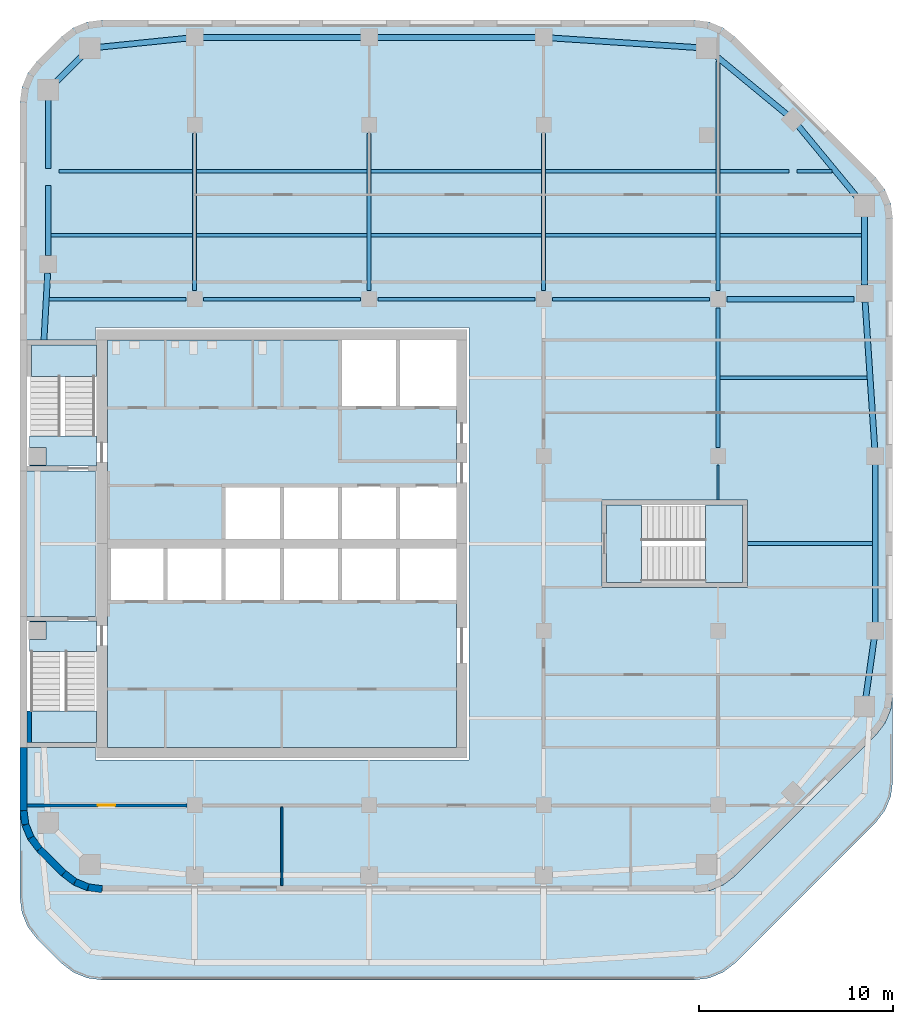
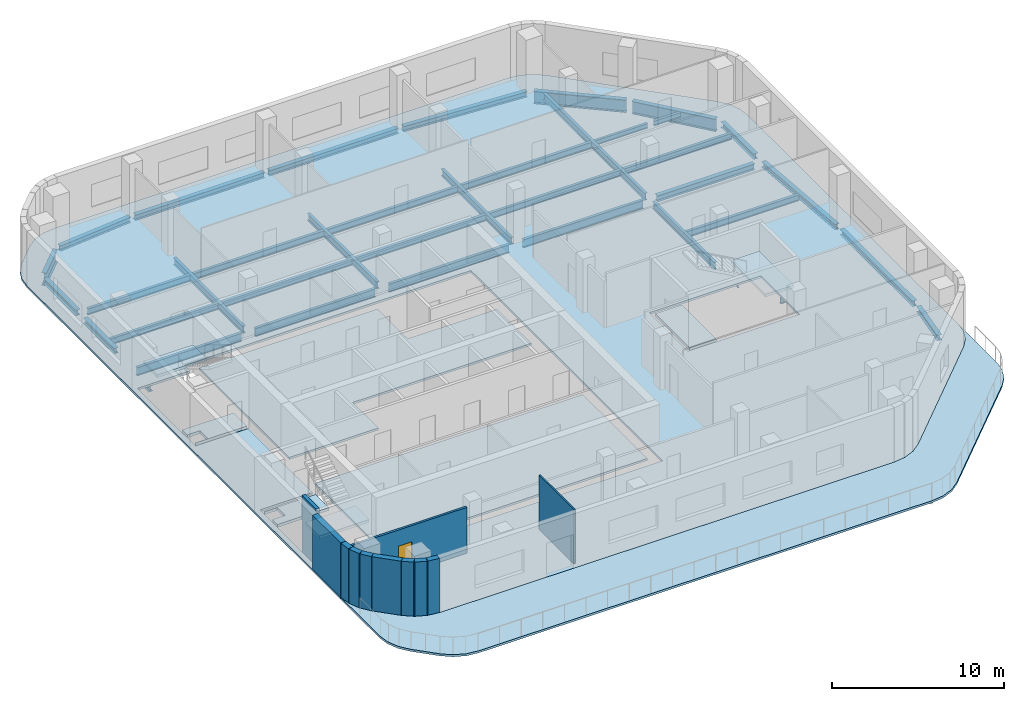
# One storey, part 2 of 8: 38 beams, 11 walls, 10 slabs, 1 door, 1 opening, 3 elements without a shape of their own.
"""IFC4 building model written with IfcOpenShell, lengths in metres."""

from ifc_helpers import new_model, si_unit, direction, frame, frame_2d, origin, origin_2d, place, context, subcontext, project, spatial, polyline, rectangle, i_section, outline, extrude, material, layer, layer_set, material_profile, profile_set, type_object, element, fill, aggregate, save


model = new_model("IFC4")

# Units and contexts
model_context = context("Model", 3, precision=1e-05, world=origin(), true_north=direction((0.0, 1.0)))
body_context = subcontext(model_context, "Body", "Model", "MODEL_VIEW")
ifc_project = project(units=[si_unit("LENGTHUNIT", "METRE"), si_unit("AREAUNIT", "SQUARE_METRE"), si_unit("VOLUMEUNIT", "CUBIC_METRE"), si_unit("PLANEANGLEUNIT", "RADIAN"), si_unit("MASSUNIT", "GRAM", prefix="KILO")], contexts=[model_context])

# Site, building, storey
site_placement = place(None, origin())
site = spatial("IfcSite", under=ifc_project, at=site_placement, CompositionType="ELEMENT")
building_placement = place(site_placement, origin())
building = spatial("IfcBuilding", under=site, at=building_placement, Name="Cinnabar Reach Civic Tower", CompositionType="ELEMENT")
storey_placement = place(building_placement, frame((0.0, 0.0, 198.0)))
storey = spatial("IfcBuildingStorey", under=building, at=storey_placement, Name="L47", CompositionType="ELEMENT", Elevation=198.0)

# Beams
ifc_material_1 = material(Name="Steel Q355B", Category="steel")
ifc_material_profile_1 = material_profile(ifc_material_1, i_section(OverallWidth=0.3, OverallDepth=0.39, WebThickness=0.01, FlangeThickness=0.016, FilletRadius=0.013, at=origin_2d()), Name="HM390x300x10x16")
ifc_profile_set_1 = profile_set([ifc_material_profile_1], Name="Steel Q355B")
beam_type_1 = type_object("IfcBeamType", Name="HM390x300x10x16 beam R 180", PredefinedType="BEAM", material=ifc_profile_set_1)
beam_1_placement = place(storey_placement, frame((43.6082, 23.5339, -0.345), z_axis=(0.140470973325, 0.990084797203, 0.0), x_axis=(-0.990084797203, 0.140470973325, 0.0)))
element("IfcBeam", 1, at=beam_1_placement, inside=storey, type_object=beam_type_1, Name="Edge beam T1 L47 7", PredefinedType="BEAM", context=body_context, shape_type="SweptSolid", body=[
    extrude(i_section(OverallWidth=0.3, OverallDepth=0.39, WebThickness=0.01, FlangeThickness=0.016, FilletRadius=0.013, at=origin_2d()), origin(), (0.0, 0.0, 1.0), 3.2263),
])
beam_2_placement = place(storey_placement, frame((44.1, 27.27, -0.345), z_axis=(0.0, 1.0, 0.0), x_axis=(-1.0, 0.0, 0.0)))
element("IfcBeam", 2, at=beam_2_placement, inside=storey, type_object=beam_type_1, Name="Edge beam T1 L47 8", PredefinedType="BEAM", context=body_context, shape_type="SweptSolid", body=[
    extrude(i_section(OverallWidth=0.3, OverallDepth=0.39, WebThickness=0.01, FlangeThickness=0.016, FilletRadius=0.013, at=origin_2d()), origin(), (0.0, 0.0, 1.0), 8.46),
])
beam_3_placement = place(storey_placement, frame((44.0822, 36.2704, -0.345), z_axis=(-0.065712618402, 0.997838590045, 0.0), x_axis=(-0.997838590045, -0.065712618402, 0.0)))
element("IfcBeam", 3, at=beam_3_placement, inside=storey, type_object=beam_type_1, Name="Edge beam T1 L47 9", PredefinedType="BEAM", context=body_context, shape_type="SweptSolid", body=[
    extrude(i_section(OverallWidth=0.3, OverallDepth=0.39, WebThickness=0.01, FlangeThickness=0.016, FilletRadius=0.013, at=origin_2d()), origin(), (0.0, 0.0, 1.0), 7.7124),
])
beam_4_placement = place(storey_placement, frame((43.5469, 44.8301, -0.345), z_axis=(0.0, 1.0, 0.0), x_axis=(-1.0, 0.0, 0.0)))
element("IfcBeam", 4, at=beam_4_placement, inside=storey, type_object=beam_type_1, Name="Edge beam T1 L47 10", PredefinedType="BEAM", context=body_context, shape_type="SweptSolid", body=[
    extrude(i_section(OverallWidth=0.3, OverallDepth=0.39, WebThickness=0.01, FlangeThickness=0.016, FilletRadius=0.013, at=origin_2d()), origin(), (0.0, 0.0, 1.0), 3.8161),
])
beam_5_placement = place(storey_placement, frame((35.1934, 57.0604, -0.345), z_axis=(-0.997838798342, 0.065709455358, 0.0), x_axis=(-0.065709455358, -0.997838798342, 0.0)))
element("IfcBeam", 5, at=beam_5_placement, inside=storey, type_object=beam_type_1, Name="Edge beam T1 L47 13", PredefinedType="BEAM", context=body_context, shape_type="SweptSolid", body=[
    extrude(i_section(OverallWidth=0.3, OverallDepth=0.39, WebThickness=0.01, FlangeThickness=0.016, FilletRadius=0.013, at=origin_2d()), origin(), (0.0, 0.0, 1.0), 8.043),
])
for number, where, z_axis, x_axis, name in (
    (6, (26.8481, 57.6, -0.345), (-1.0, 0.0, 0.0), (0.0, -1.0, 0.0), "Edge beam T1 L47 14"),
    (7, (17.8481, 57.6, -0.345), (-1.0, 0.0, 0.0), (0.0, -1.0, 0.0), "Edge beam T1 L47 15"),
):
    element("IfcBeam", number, at=place(storey_placement, frame(where, z_axis=z_axis, x_axis=x_axis)), inside=storey, type_object=beam_type_1, Name=name, PredefinedType="BEAM", context=body_context, shape_type="SweptSolid", body=[
        extrude(i_section(OverallWidth=0.3, OverallDepth=0.39, WebThickness=0.01, FlangeThickness=0.016, FilletRadius=0.013, at=origin_2d()), origin(), (0.0, 0.0, 1.0), 8.6962),
    ])
beam_6_placement = place(storey_placement, frame((8.8234, 57.5819, -0.345), z_axis=(-0.994791837941, -0.101927421073, 0.0), x_axis=(0.101927421073, -0.994791837941, 0.0)))
element("IfcBeam", 8, at=beam_6_placement, inside=storey, type_object=beam_type_1, Name="Edge beam T1 L47 16", PredefinedType="BEAM", context=body_context, shape_type="SweptSolid", body=[
    extrude(i_section(OverallWidth=0.3, OverallDepth=0.39, WebThickness=0.01, FlangeThickness=0.016, FilletRadius=0.013, at=origin_2d()), origin(), (0.0, 0.0, 1.0), 5.0526),
])
beam_7_placement = place(storey_placement, frame((1.4531, 54.5938, -0.345), z_axis=(0.0, -1.0, 0.0), x_axis=(1.0, 0.0, 0.0)))
element("IfcBeam", 9, at=beam_7_placement, inside=storey, type_object=beam_type_1, Name="Edge beam T1 L47 18", PredefinedType="BEAM", context=body_context, shape_type="SweptSolid", body=[
    extrude(i_section(OverallWidth=0.3, OverallDepth=0.39, WebThickness=0.01, FlangeThickness=0.016, FilletRadius=0.013, at=origin_2d()), origin(), (0.0, 0.0, 1.0), 3.7637),
])
beam_8_placement = place(storey_placement, frame((1.4531, 49.9661, -0.345), z_axis=(0.0, -1.0, 0.0), x_axis=(1.0, 0.0, 0.0)))
element("IfcBeam", 10, at=beam_8_placement, inside=storey, type_object=beam_type_1, Name="Edge beam T1 L47 19", PredefinedType="BEAM", context=body_context, shape_type="SweptSolid", body=[
    extrude(i_section(OverallWidth=0.3, OverallDepth=0.39, WebThickness=0.01, FlangeThickness=0.016, FilletRadius=0.013, at=origin_2d()), origin(), (0.0, 0.0, 1.0), 3.616),
])
beam_9_placement = place(storey_placement, frame((1.4278, 45.4461, -0.345), z_axis=(-0.0557766862, -0.998443268932, 0.0), x_axis=(0.998443268932, -0.0557766862, 0.0)))
element("IfcBeam", 11, at=beam_9_placement, inside=storey, type_object=beam_type_1, Name="Edge beam T1 L47 20", PredefinedType="BEAM", context=body_context, shape_type="SweptSolid", body=[
    extrude(i_section(OverallWidth=0.3, OverallDepth=0.39, WebThickness=0.01, FlangeThickness=0.016, FilletRadius=0.013, at=origin_2d()), origin(), (0.0, 0.0, 1.0), 3.4495),
])
ifc_material_profile_2 = material_profile(ifc_material_1, i_section(OverallWidth=0.3, OverallDepth=0.44, WebThickness=0.011, FlangeThickness=0.018, FilletRadius=0.016, at=origin_2d()), Name="HM440x300x11x18")
ifc_profile_set_2 = profile_set([ifc_material_profile_2], Name="Steel Q355B")
beam_type_2 = type_object("IfcBeamType", Name="HM440x300x11x18 beam R 180", PredefinedType="BEAM", material=ifc_profile_set_2)
beam_10_placement = place(storey_placement, frame((36.452, 44.1, -0.37), z_axis=(1.0, 0.0, 0.0), x_axis=(0.0, 1.0, 0.0)))
element("IfcBeam", 12, at=beam_10_placement, inside=storey, type_object=beam_type_2, Name="Girder T1 L47 11", PredefinedType="BEAM", context=body_context, shape_type="SweptSolid", body=[
    extrude(i_section(OverallWidth=0.3, OverallDepth=0.44, WebThickness=0.011, FlangeThickness=0.018, FilletRadius=0.016, at=origin_2d()), origin(), (0.0, 0.0, 1.0), 6.5429),
])
ifc_material_profile_3 = material_profile(ifc_material_1, i_section(OverallWidth=0.099, OverallDepth=0.198, WebThickness=0.0045, FlangeThickness=0.007, FilletRadius=0.013, at=origin_2d()), Name="HN200x100x5.5x8")
ifc_profile_set_3 = profile_set([ifc_material_profile_3], Name="Steel Q355B")
beam_type_3 = type_object("IfcBeamType", Name="HN200x100x5.5x8 beam R 180", PredefinedType="BEAM", material=ifc_profile_set_3)
beam_11_placement = place(storey_placement, frame((36.0, 33.752, -0.249), z_axis=(0.0, 1.0, 0.0), x_axis=(-1.0, 0.0, 0.0)))
element("IfcBeam", 13, at=beam_11_placement, inside=storey, type_object=beam_type_3, Name="Girder T1 L47 19", PredefinedType="BEAM", context=body_context, shape_type="SweptSolid", body=[
    extrude(i_section(OverallWidth=0.099, OverallDepth=0.198, WebThickness=0.0045, FlangeThickness=0.007, FilletRadius=0.013, at=origin_2d()), origin(), (0.0, 0.0, 1.0), 1.796),
])
ifc_material_profile_4 = material_profile(ifc_material_1, i_section(OverallWidth=0.174, OverallDepth=0.346, WebThickness=0.006, FlangeThickness=0.009, FilletRadius=0.013, at=origin_2d()), Name="HN346x174x6x9")
ifc_profile_set_4 = profile_set([ifc_material_profile_4], Name="Steel Q355B")
beam_type_4 = type_object("IfcBeamType", Name="HN346x174x6x9 beam R 180", PredefinedType="BEAM", material=ifc_profile_set_4)
beam_12_placement = place(storey_placement, frame((36.102, 50.7, -0.323), z_axis=(1.0, 0.0, 0.0), x_axis=(0.0, 1.0, 0.0)))
element("IfcBeam", 14, at=beam_12_placement, inside=storey, type_object=beam_type_4, Name="Secondary beam T1 L47 25", PredefinedType="BEAM", context=body_context, shape_type="SweptSolid", body=[
    extrude(i_section(OverallWidth=0.174, OverallDepth=0.346, WebThickness=0.006, FlangeThickness=0.009, FilletRadius=0.013, at=origin_2d()), origin(), (0.0, 0.0, 1.0), 3.5596),
])
beam_13_placement = place(storey_placement, frame((40.0656, 50.7, -0.323), z_axis=(1.0, 0.0, 0.0), x_axis=(0.0, 1.0, 0.0)))
element("IfcBeam", 15, at=beam_13_placement, inside=storey, type_object=beam_type_4, Name="Secondary beam T1 L47 26", PredefinedType="BEAM", context=body_context, shape_type="SweptSolid", body=[
    extrude(i_section(OverallWidth=0.174, OverallDepth=0.346, WebThickness=0.006, FlangeThickness=0.009, FilletRadius=0.013, at=origin_2d()), origin(), (0.0, 0.0, 1.0), 1.798),
])
ifc_material_profile_5 = material_profile(ifc_material_1, i_section(OverallWidth=0.199, OverallDepth=0.446, WebThickness=0.008, FlangeThickness=0.012, FilletRadius=0.016, at=origin_2d()), Name="HN446x199x8x12")
ifc_profile_set_5 = profile_set([ifc_material_profile_5], Name="Steel Q355B")
beam_type_5 = type_object("IfcBeamType", Name="HN446x199x8x12 beam R 180", PredefinedType="BEAM", material=ifc_profile_set_5)
beam_14_placement = place(storey_placement, frame((37.502, 31.5, -0.373), z_axis=(1.0, 0.0, 0.0), x_axis=(0.0, 1.0, 0.0)))
element("IfcBeam", 16, at=beam_14_placement, inside=storey, type_object=beam_type_5, Name="Secondary beam T1 L47 12", PredefinedType="BEAM", context=body_context, shape_type="SweptSolid", body=[
    extrude(i_section(OverallWidth=0.199, OverallDepth=0.446, WebThickness=0.008, FlangeThickness=0.012, FilletRadius=0.016, at=origin_2d()), origin(), (0.0, 0.0, 1.0), 6.446),
])
beam_15_placement = place(storey_placement, frame((36.102, 40.05, -0.373), z_axis=(1.0, 0.0, 0.0), x_axis=(0.0, 1.0, 0.0)))
element("IfcBeam", 17, at=beam_15_placement, inside=storey, type_object=beam_type_5, Name="Secondary beam T1 L47 15", PredefinedType="BEAM", context=body_context, shape_type="SweptSolid", body=[
    extrude(i_section(OverallWidth=0.199, OverallDepth=0.446, WebThickness=0.008, FlangeThickness=0.012, FilletRadius=0.016, at=origin_2d()), origin(), (0.0, 0.0, 1.0), 7.5789),
])
beam_16_placement = place(storey_placement, frame((1.6051, 47.4, -0.373), z_axis=(1.0, 0.0, 0.0), x_axis=(0.0, 1.0, 0.0)))
element("IfcBeam", 18, at=beam_16_placement, inside=storey, type_object=beam_type_5, Name="Secondary beam T1 L47 16", PredefinedType="BEAM", context=body_context, shape_type="SweptSolid", body=[
    extrude(i_section(OverallWidth=0.199, OverallDepth=0.446, WebThickness=0.008, FlangeThickness=0.012, FilletRadius=0.016, at=origin_2d()), origin(), (0.0, 0.0, 1.0), 7.2929),
])
for number, where, z_axis, x_axis, name in (
    (19, (9.102, 47.4, -0.373), (1.0, 0.0, 0.0), (0.0, 1.0, 0.0), "Secondary beam T1 L47 17"),
    (20, (18.102, 47.4, -0.373), (1.0, 0.0, 0.0), (0.0, 1.0, 0.0), "Secondary beam T1 L47 18"),
    (21, (27.102, 47.4, -0.373), (1.0, 0.0, 0.0), (0.0, 1.0, 0.0), "Secondary beam T1 L47 19"),
):
    element("IfcBeam", number, at=place(storey_placement, frame(where, z_axis=z_axis, x_axis=x_axis)), inside=storey, type_object=beam_type_5, Name=name, PredefinedType="BEAM", context=body_context, shape_type="SweptSolid", body=[
        extrude(i_section(OverallWidth=0.199, OverallDepth=0.446, WebThickness=0.008, FlangeThickness=0.012, FilletRadius=0.016, at=origin_2d()), origin(), (0.0, 0.0, 1.0), 8.796),
    ])
beam_17_placement = place(storey_placement, frame((36.102, 47.4, -0.373), z_axis=(1.0, 0.0, 0.0), x_axis=(0.0, 1.0, 0.0)))
element("IfcBeam", 22, at=beam_17_placement, inside=storey, type_object=beam_type_5, Name="Secondary beam T1 L47 20", PredefinedType="BEAM", context=body_context, shape_type="SweptSolid", body=[
    extrude(i_section(OverallWidth=0.199, OverallDepth=0.446, WebThickness=0.008, FlangeThickness=0.012, FilletRadius=0.016, at=origin_2d()), origin(), (0.0, 0.0, 1.0), 7.2929),
])
beam_18_placement = place(storey_placement, frame((2.0051, 50.7, -0.373), z_axis=(1.0, 0.0, 0.0), x_axis=(0.0, 1.0, 0.0)))
element("IfcBeam", 23, at=beam_18_placement, inside=storey, type_object=beam_type_5, Name="Secondary beam T1 L47 21", PredefinedType="BEAM", context=body_context, shape_type="SweptSolid", body=[
    extrude(i_section(OverallWidth=0.199, OverallDepth=0.446, WebThickness=0.008, FlangeThickness=0.012, FilletRadius=0.016, at=origin_2d()), origin(), (0.0, 0.0, 1.0), 6.8929),
])
for number, where, z_axis, x_axis, name in (
    (24, (9.102, 50.7, -0.373), (1.0, 0.0, 0.0), (0.0, 1.0, 0.0), "Secondary beam T1 L47 22"),
    (25, (18.102, 50.7, -0.373), (1.0, 0.0, 0.0), (0.0, 1.0, 0.0), "Secondary beam T1 L47 23"),
    (26, (27.102, 50.7, -0.373), (1.0, 0.0, 0.0), (0.0, 1.0, 0.0), "Secondary beam T1 L47 24"),
):
    element("IfcBeam", number, at=place(storey_placement, frame(where, z_axis=z_axis, x_axis=x_axis)), inside=storey, type_object=beam_type_5, Name=name, PredefinedType="BEAM", context=body_context, shape_type="SweptSolid", body=[
        extrude(i_section(OverallWidth=0.199, OverallDepth=0.446, WebThickness=0.008, FlangeThickness=0.012, FilletRadius=0.016, at=origin_2d()), origin(), (0.0, 0.0, 1.0), 8.796),
    ])
ifc_material_profile_6 = material_profile(ifc_material_1, i_section(OverallWidth=0.2, OverallDepth=0.5, WebThickness=0.01, FlangeThickness=0.016, FilletRadius=0.016, at=origin_2d()), Name="HN500x200x10x16")
ifc_profile_set_6 = profile_set([ifc_material_profile_6], Name="Steel Q355B")
beam_type_6 = type_object("IfcBeamType", Name="HN500x200x10x16 beam R 180", PredefinedType="BEAM", material=ifc_profile_set_6)
for number, where, z_axis, x_axis, name in (
    (27, (9.0, 44.552, -0.4), (0.0, 1.0, 0.0), (-1.0, 0.0, 0.0), "Girder T1 L47 4"),
    (28, (18.0, 44.552, -0.4), (0.0, 1.0, 0.0), (-1.0, 0.0, 0.0), "Girder T1 L47 8"),
    (29, (27.0, 44.552, -0.4), (0.0, 1.0, 0.0), (-1.0, 0.0, 0.0), "Girder T1 L47 14"),
):
    element("IfcBeam", number, at=place(storey_placement, frame(where, z_axis=z_axis, x_axis=x_axis)), inside=storey, type_object=beam_type_6, Name=name, PredefinedType="BEAM", context=body_context, shape_type="SweptSolid", body=[
        extrude(i_section(OverallWidth=0.2, OverallDepth=0.5, WebThickness=0.01, FlangeThickness=0.016, FilletRadius=0.016, at=origin_2d()), origin(), (0.0, 0.0, 1.0), 8.096),
    ])
beam_19_placement = place(storey_placement, frame((36.0, 36.452, -0.4), z_axis=(0.0, 1.0, 0.0), x_axis=(-1.0, 0.0, 0.0)))
element("IfcBeam", 30, at=beam_19_placement, inside=storey, type_object=beam_type_6, Name="Girder T1 L47 20", PredefinedType="BEAM", context=body_context, shape_type="SweptSolid", body=[
    extrude(i_section(OverallWidth=0.2, OverallDepth=0.5, WebThickness=0.01, FlangeThickness=0.016, FilletRadius=0.016, at=origin_2d()), origin(), (0.0, 0.0, 1.0), 7.196),
])
beam_20_placement = place(storey_placement, frame((36.0, 44.552, -0.4), z_axis=(0.0, 1.0, 0.0), x_axis=(-1.0, 0.0, 0.0)))
element("IfcBeam", 31, at=beam_20_placement, inside=storey, type_object=beam_type_6, Name="Girder T1 L47 21", PredefinedType="BEAM", context=body_context, shape_type="SweptSolid", body=[
    extrude(i_section(OverallWidth=0.2, OverallDepth=0.5, WebThickness=0.01, FlangeThickness=0.016, FilletRadius=0.016, at=origin_2d()), origin(), (0.0, 0.0, 1.0), 11.8014),
])
ifc_material_profile_7 = material_profile(ifc_material_1, i_section(OverallWidth=0.199, OverallDepth=0.596, WebThickness=0.01, FlangeThickness=0.015, FilletRadius=0.016, at=origin_2d()), Name="HN596x199x10x15")
ifc_profile_set_7 = profile_set([ifc_material_profile_7], Name="Steel Q355B")
beam_type_7 = type_object("IfcBeamType", Name="HN596x199x10x15 beam R 180", PredefinedType="BEAM", material=ifc_profile_set_7)
beam_21_placement = place(storey_placement, frame((1.5049, 44.1, -0.448), z_axis=(1.0, 0.0, 0.0), x_axis=(0.0, 1.0, 0.0)))
element("IfcBeam", 32, at=beam_21_placement, inside=storey, type_object=beam_type_7, Name="Girder T1 L47 7", PredefinedType="BEAM", context=body_context, shape_type="SweptSolid", body=[
    extrude(i_section(OverallWidth=0.199, OverallDepth=0.596, WebThickness=0.01, FlangeThickness=0.015, FilletRadius=0.016, at=origin_2d()), origin(), (0.0, 0.0, 1.0), 7.0431),
])
for number, where, z_axis, x_axis, name in (
    (33, (9.452, 44.1, -0.448), (1.0, 0.0, 0.0), (0.0, 1.0, 0.0), "Girder T1 L47 8"),
    (34, (18.452, 44.1, -0.448), (1.0, 0.0, 0.0), (0.0, 1.0, 0.0), "Girder T1 L47 9"),
    (35, (27.452, 44.1, -0.448), (1.0, 0.0, 0.0), (0.0, 1.0, 0.0), "Girder T1 L47 10"),
):
    element("IfcBeam", number, at=place(storey_placement, frame(where, z_axis=z_axis, x_axis=x_axis)), inside=storey, type_object=beam_type_7, Name=name, PredefinedType="BEAM", context=body_context, shape_type="SweptSolid", body=[
        extrude(i_section(OverallWidth=0.199, OverallDepth=0.596, WebThickness=0.01, FlangeThickness=0.015, FilletRadius=0.016, at=origin_2d()), origin(), (0.0, 0.0, 1.0), 8.096),
    ])
ifc_material_profile_8 = material_profile(ifc_material_1, i_section(OverallWidth=0.3, OverallDepth=0.9, WebThickness=0.016, FlangeThickness=0.028, FilletRadius=0.02, at=origin_2d()), Name="HN900x300x16x28")
ifc_profile_set_8 = profile_set([ifc_material_profile_8], Name="Steel Q355B")
beam_type_8 = type_object("IfcBeamType", Name="TRANSFER HN900x300x16x28 R 240", PredefinedType="BEAM", material=ifc_profile_set_8)
beam_22_placement = place(storey_placement, frame((43.3818, 49.0982, -0.6), z_axis=(-0.636301605229, 0.771440384724, 0.0), x_axis=(-0.771440384724, -0.636301605229, 0.0)))
element("IfcBeam", 36, at=beam_22_placement, inside=storey, type_object=beam_type_8, Name="Edge beam T1 L47 11", PredefinedType="BEAM", context=body_context, shape_type="SweptSolid", body=[
    extrude(i_section(OverallWidth=0.3, OverallDepth=0.9, WebThickness=0.016, FlangeThickness=0.028, FilletRadius=0.02, at=origin_2d()), origin(), (0.0, 0.0, 1.0), 5.2117),
])
beam_23_placement = place(storey_placement, frame((39.8161, 53.4028, -0.6), z_axis=(-0.771436150145, 0.63630673912, 0.0), x_axis=(-0.63630673912, -0.771436150145, 0.0)))
element("IfcBeam", 37, at=beam_23_placement, inside=storey, type_object=beam_type_8, Name="Edge beam T1 L47 12", PredefinedType="BEAM", context=body_context, shape_type="SweptSolid", body=[
    extrude(i_section(OverallWidth=0.3, OverallDepth=0.9, WebThickness=0.016, FlangeThickness=0.028, FilletRadius=0.02, at=origin_2d()), origin(), (0.0, 0.0, 1.0), 5.4651),
])
beam_24_placement = place(storey_placement, frame((3.3999, 56.8449, -0.6), z_axis=(-0.707106781187, -0.707106781187, 0.0), x_axis=(0.707106781187, -0.707106781187, 0.0)))
element("IfcBeam", 38, at=beam_24_placement, inside=storey, type_object=beam_type_8, Name="Edge beam T1 L47 17", PredefinedType="BEAM", context=body_context, shape_type="SweptSolid", body=[
    extrude(i_section(OverallWidth=0.3, OverallDepth=0.9, WebThickness=0.016, FlangeThickness=0.028, FilletRadius=0.02, at=origin_2d()), origin(), (0.0, 0.0, 1.0), 2.5463),
])

# Slab
ifc_material_2 = material(Name="Concrete C40", Category="concrete")
ifc_layer_1 = layer(ifc_material_2, 0.15)
ifc_layer_set_1 = layer_set([ifc_layer_1], Name="Composite floor slab 150 REI 150")
slab_type_1 = type_object("IfcSlabType", Name="Composite floor slab 150 REI 150", PredefinedType="FLOOR", material=ifc_layer_set_1)
slab_1_placement = place(storey_placement, frame((0.0, 0.0, -0.15)))
element("IfcSlab", 39, at=slab_1_placement, inside=storey, type_object=slab_type_1, Name="Composite floor slab 150 T1 L47", PredefinedType="FLOOR", context=body_context, shape_type="SweptSolid", body=[
    extrude(outline(polyline([(0.8787, 15.6213), (0.4019, 16.2426), (0.1022, 16.9662), (0.0, 17.7426), (0.0, 54.2574), (0.1022, 55.0338), (0.4019, 55.7574), (0.8787, 56.3787), (2.1213, 57.6213), (2.7426, 58.0981), (3.4662, 58.3978), (4.2426, 58.5), (34.7574, 58.5), (35.5338, 58.3978), (36.2574, 58.0981), (36.8787, 57.6213), (44.1213, 50.3787), (44.5981, 49.7574), (44.8978, 49.0338), (45.0, 48.2574), (45.0, 23.7426), (44.8978, 22.9662), (44.5981, 22.2426), (44.1213, 21.6213), (36.8787, 14.3787), (36.2574, 13.9019), (35.5338, 13.6022), (34.7574, 13.5), (4.2426, 13.5), (3.4662, 13.6022), (2.7426, 13.9019), (2.1213, 14.3787), (0.8787, 15.6213)]), holes=[polyline([(0.36, 21.0), (3.9, 21.0), (3.9, 20.35), (23.15, 20.35), (23.15, 42.65), (3.9, 42.65), (3.9, 42.0), (0.36, 42.0), (0.36, 35.25), (3.9, 35.25), (3.9, 27.75), (0.36, 27.75), (0.36, 21.0)]), polyline([(30.0, 33.75), (30.0, 29.25), (37.5, 29.25), (37.5, 33.75), (30.0, 33.75)])]), origin(), (0.0, 0.0, 1.0), 0.15),
])

# Stair, slabs
ifc_material_3 = material(Name="Concrete C40/50", Category="concrete")
stair_type = type_object("IfcStairType", Name="T1 Exit stair, half-turn", PredefinedType="HALF_TURN_STAIR", material=ifc_material_3)
stair_1_placement = place(storey_placement, origin())
stair_1 = element("IfcStair", 40, at=stair_1_placement, inside=storey, type_object=stair_type, Name="Stair T1-S1", PredefinedType="HALF_TURN_STAIR")
ifc_layer_2 = layer(ifc_material_3, 0.2)
ifc_layer_set_2 = layer_set([ifc_layer_2], Name="T1 Stair landing 200, Concrete C40/50")
slab_type_2 = type_object("IfcSlabType", Name="T1 Stair landing 200, Concrete C40/50", PredefinedType="LANDING", material=ifc_layer_set_2)
slab_2_placement = place(storey_placement, frame((0.0, 0.0, -0.2)))
slab_2 = element("IfcSlab", 41, at=slab_2_placement, type_object=slab_type_2, Name="T1-S1 landing 1", PredefinedType="LANDING", context=body_context, shape_type="SweptSolid", body=[
    extrude(outline(polyline([(0.5, 27.5), (3.95, 27.5), (3.95, 25.95), (0.5, 25.95), (0.5, 26.55), (1.35, 26.55), (1.35, 27.45), (0.5, 27.45), (0.5, 27.5)])), origin(), (0.0, 0.0, 1.0), 0.2),
])
slab_3_placement = place(storey_placement, frame((0.0, 0.0, 1.8)))
slab_3 = element("IfcSlab", 42, at=slab_3_placement, type_object=slab_type_2, Name="T1-S1 landing 2", PredefinedType="LANDING", context=body_context, shape_type="SweptSolid", body=[
    extrude(outline(polyline([(0.6, 21.25), (0.6, 22.87), (3.95, 22.87), (3.95, 21.25), (0.6, 21.25)])), origin(), (0.0, 0.0, 1.0), 0.2),
])
aggregate(stair_1, [slab_2, slab_3])

stair_2_placement = place(storey_placement, origin())
stair_2 = element("IfcStair", 43, at=stair_2_placement, inside=storey, type_object=stair_type, Name="Stair T1-S2", PredefinedType="HALF_TURN_STAIR")
slab_4_placement = place(storey_placement, frame((0.0, 0.0, -0.2)))
slab_4 = element("IfcSlab", 44, at=slab_4_placement, type_object=slab_type_2, Name="T1-S2 landing 1", PredefinedType="LANDING", context=body_context, shape_type="SweptSolid", body=[
    extrude(outline(polyline([(0.5, 37.05), (3.95, 37.05), (3.95, 35.5), (0.5, 35.5), (0.5, 35.55), (1.35, 35.55), (1.35, 36.45), (0.5, 36.45), (0.5, 37.05)])), origin(), (0.0, 0.0, 1.0), 0.2),
])
slab_5_placement = place(storey_placement, frame((0.0, 0.0, 1.8)))
slab_5 = element("IfcSlab", 45, at=slab_5_placement, type_object=slab_type_2, Name="T1-S2 landing 2", PredefinedType="LANDING", context=body_context, shape_type="SweptSolid", body=[
    extrude(outline(polyline([(0.6, 40.13), (0.6, 41.75), (3.95, 41.75), (3.95, 40.13), (0.6, 40.13)])), origin(), (0.0, 0.0, 1.0), 0.2),
])
aggregate(stair_2, [slab_4, slab_5])

stair_3_placement = place(storey_placement, origin())
stair_3 = element("IfcStair", 46, at=stair_3_placement, inside=storey, type_object=stair_type, Name="Stair T1-S3", PredefinedType="HALF_TURN_STAIR")
slab_6_placement = place(storey_placement, frame((0.0, 0.0, -0.2)))
slab_6 = element("IfcSlab", 47, at=slab_6_placement, type_object=slab_type_2, Name="T1-S3 landing 1", PredefinedType="LANDING", context=body_context, shape_type="SweptSolid", body=[
    extrude(outline(polyline([(30.25, 29.5), (32.05, 29.5), (32.05, 33.5), (30.25, 33.5), (30.25, 29.5)])), origin(), (0.0, 0.0, 1.0), 0.2),
])
slab_7_placement = place(storey_placement, frame((0.0, 0.0, 1.8)))
slab_7 = element("IfcSlab", 48, at=slab_7_placement, type_object=slab_type_2, Name="T1-S3 landing 2", PredefinedType="LANDING", context=body_context, shape_type="SweptSolid", body=[
    extrude(outline(polyline([(35.35, 29.5), (37.25, 29.5), (37.25, 33.5), (35.35, 33.5), (35.35, 29.5)])), origin(), (0.0, 0.0, 1.0), 0.2),
])
aggregate(stair_3, [slab_6, slab_7])

# Slabs
ifc_layer_3 = layer(ifc_material_3, 0.15)
ifc_layer_set_3 = layer_set([ifc_layer_3], Name="T1 core floor slab 150")
slab_type_3 = type_object("IfcSlabType", Name="T1 core floor slab 150", PredefinedType="FLOOR", material=ifc_layer_set_3)
slab_8_placement = place(storey_placement, frame((0.0, 0.0, -0.15)))
element("IfcSlab", 49, at=slab_8_placement, inside=storey, type_object=slab_type_3, Name="Core floor slab L47", PredefinedType="FLOOR", context=body_context, shape_type="SweptSolid", body=[
    extrude(outline(polyline([(22.5, 21.0), (4.5, 21.0), (4.5, 28.5), (7.5, 28.5), (10.5, 28.5), (13.5, 28.5), (16.5, 28.5), (19.5, 28.5), (22.5, 28.5), (22.5, 21.0)])), origin(), (0.0, 0.0, 1.0), 0.15),
])
slab_9_placement = place(storey_placement, frame((0.0, 0.0, -0.15)))
element("IfcSlab", 50, at=slab_9_placement, inside=storey, type_object=slab_type_3, Name="Core floor slab L47", PredefinedType="FLOOR", context=body_context, shape_type="SweptSolid", body=[
    extrude(outline(polyline([(22.5, 34.5), (19.5, 34.5), (16.5, 34.5), (13.5, 34.5), (10.5, 34.5), (10.5, 31.5), (7.5, 31.5), (4.5, 31.5), (4.5, 42.0), (16.5, 42.0), (16.5, 38.5), (19.5, 38.5), (22.5, 38.5), (22.5, 34.5)])), origin(), (0.0, 0.0, 1.0), 0.15),
])
ifc_layer_4 = layer(ifc_material_2, 0.15)
ifc_layer_set_4 = layer_set([ifc_layer_4], Name="Terrace slab 150 REI 150")
slab_type_4 = type_object("IfcSlabType", Name="Terrace slab 150 REI 150", PredefinedType="FLOOR", material=ifc_layer_set_4)
slab_10_placement = place(storey_placement, frame((0.0, 0.0, -0.15)))
element("IfcSlab", 51, at=slab_10_placement, inside=storey, type_object=slab_type_4, Name="Terrace slab T1 L47 1", PredefinedType="FLOOR", context=body_context, shape_type="SweptSolid", body=[
    extrude(outline(polyline([(45.0, 19.2426), (44.8978, 18.4662), (44.5981, 17.7426), (44.1213, 17.1213), (36.8787, 9.8787), (36.2574, 9.4019), (35.5338, 9.1022), (34.7574, 9.0), (4.2426, 9.0), (3.4662, 9.1022), (2.7426, 9.4019), (2.1213, 9.8787), (0.8787, 11.1213), (0.4019, 11.7426), (0.1022, 12.4662), (0.0, 13.2426), (0.0, 17.7426), (0.1022, 16.9662), (0.4019, 16.2426), (0.8787, 15.6213), (2.1213, 14.3787), (2.7426, 13.9019), (3.4662, 13.6022), (4.2426, 13.5), (34.7574, 13.5), (35.5338, 13.6022), (36.2574, 13.9019), (36.8787, 14.3787), (44.1213, 21.6213), (44.5981, 22.2426), (44.8978, 22.9662), (45.0, 23.7426), (45.0, 19.2426)])), origin(), (0.0, 0.0, 1.0), 0.15),
])

# Walls
ifc_material_4 = material(Name="Facing brick with insulated backing", Category="masonry")
ifc_layer_5 = layer(ifc_material_4, 0.36)
ifc_layer_set_5 = layer_set([ifc_layer_5], Name="Brick corner wall")
wall_type_1 = type_object("IfcWallType", Name="Brick corner wall", PredefinedType="STANDARD", material=ifc_layer_set_5)
for number, where, z_axis, x_axis, name in (
    (52, (0.183, 17.7314, 0.0), (0.0, 0.0, 1.0), (0.13055608231, -0.99144092581, 0.0), "Brick corner wall"),
    (53, (0.2819, 17.0027, 0.0), (0.0, 0.0, 1.0), (0.382702709855, -0.923871547278, 0.0), "Brick corner wall"),
):
    element("IfcWall", number, at=place(storey_placement, frame(where, z_axis=z_axis, x_axis=x_axis)), inside=storey, type_object=wall_type_1, Name=name, PredefinedType="STANDARD", context=body_context, shape_type="SweptSolid", body=[
        extrude(rectangle(XDim=0.7131, YDim=0.36, at=frame_2d((0.3565, 0.0))), origin(), (0.0, 0.0, 1.0), 3.85),
    ])
for number, where, z_axis, x_axis, name in (
    (54, (0.566, 16.3245, 0.0), (0.0, 0.0, 1.0), (0.608802368033, -0.793321924995, 0.0), "Brick corner wall"),
    (55, (2.2587, 14.5002, 0.0), (0.0, 0.0, 1.0), (0.793321924995, -0.608802368033, 0.0), "Brick corner wall"),
):
    element("IfcWall", number, at=place(storey_placement, frame(where, z_axis=z_axis, x_axis=x_axis)), inside=storey, type_object=wall_type_1, Name=name, PredefinedType="STANDARD", context=body_context, shape_type="SweptSolid", body=[
        extrude(rectangle(XDim=0.7132, YDim=0.36, at=frame_2d((0.3566, 0.0))), origin(), (0.0, 0.0, 1.0), 3.85),
    ])
for number, where, z_axis, x_axis, name in (
    (56, (2.8439, 14.0548, 0.0), (0.0, 0.0, 1.0), (0.923871547278, -0.382702709855, 0.0), "Brick corner wall"),
    (57, (3.5244, 13.7761, 0.0), (0.0, 0.0, 1.0), (0.99144092581, -0.13055608231, 0.0), "Brick corner wall"),
):
    element("IfcWall", number, at=place(storey_placement, frame(where, z_axis=z_axis, x_axis=x_axis)), inside=storey, type_object=wall_type_1, Name=name, PredefinedType="STANDARD", context=body_context, shape_type="SweptSolid", body=[
        extrude(rectangle(XDim=0.7131, YDim=0.36, at=frame_2d((0.3565, 0.0))), origin(), (0.0, 0.0, 1.0), 3.85),
    ])
ifc_layer_6 = layer(ifc_material_4, 0.36)
ifc_layer_set_6 = layer_set([ifc_layer_6], Name="Brick pier and spandrel wall")
wall_type_2 = type_object("IfcWallType", Name="Brick pier and spandrel wall", PredefinedType="STANDARD", material=ifc_layer_set_6)
wall_1_placement = place(storey_placement, frame((0.18, 21.0, 0.0), z_axis=(0.0, 0.0, 1.0), x_axis=(0.0, -1.0, 0.0)))
element("IfcWall", 58, at=wall_1_placement, inside=storey, type_object=wall_type_2, Name="Brick facade wall", PredefinedType="STANDARD", context=body_context, shape_type="SweptSolid", body=[
    extrude(rectangle(XDim=3.2574, YDim=0.36, at=frame_2d((1.6287, 0.0))), origin(), (0.0, 0.0, 1.0), 3.85),
])
wall_2_placement = place(storey_placement, frame((1.006, 15.7486, 0.0), z_axis=(0.0, 0.0, 1.0), x_axis=(0.707106781187, -0.707106781187, 0.0)))
element("IfcWall", 59, at=wall_2_placement, inside=storey, type_object=wall_type_2, Name="Brick facade wall", PredefinedType="STANDARD", context=body_context, shape_type="SweptSolid", body=[
    extrude(rectangle(XDim=1.7573, YDim=0.36, at=frame_2d((0.8787, 0.0))), origin(), (0.0, 0.0, 1.0), 3.85),
])

# Wall, opening, door
ifc_material_5 = material(Name="Gypsum board on steel studs, double layer", Category="steel")
ifc_layer_7 = layer(ifc_material_5, 0.15)
ifc_layer_set_7 = layer_set([ifc_layer_7], Name="Corridor wall 150 T1")
wall_type_3 = type_object("IfcWallType", Name="Corridor wall 150 T1", PredefinedType="PARTITIONING", material=ifc_layer_set_7)
wall_3_placement = place(storey_placement, frame((0.36, 18.0, 0.0), z_axis=(0.0, 0.0, 1.0), x_axis=(1.0, 0.0, 0.0)))
wall_3 = element("IfcWall", 60, at=wall_3_placement, inside=storey, type_object=wall_type_3, Name="Corridor wall 23", PredefinedType="PARTITIONING", context=body_context, shape_type="SweptSolid", body=[
    extrude(rectangle(XDim=8.24, YDim=0.15, at=frame_2d((4.12, 0.0))), origin(), (0.0, 0.0, 1.0), 3.254),
])
opening_placement = place(wall_3_placement, frame((3.65, 0.0, 0.0)))
opening = element("IfcOpeningElement", 61, at=opening_placement, cuts=wall_3, Name="Opening D4942", PredefinedType="OPENING", context=body_context, shape_type="SweptSolid", body=[
    extrude(rectangle(XDim=0.9, YDim=2.1, at=frame_2d((0.45, 1.05))), frame((0.0, 0.085, 0.0), z_axis=(0.0, -1.0, 0.0), x_axis=(1.0, 0.0, 0.0)), (0.0, 0.0, 1.0), 0.17),
])
ifc_material_6 = material(Name="Timber door leaf in steel frame", Category="steel")
door_type = type_object("IfcDoorType", Name="Single swing door 900 x 2100 corridor T1", OperationType="SINGLE_SWING_LEFT", PredefinedType="DOOR", material=ifc_material_6)
door_placement = place(opening_placement, frame((0.9, 0.0, 0.0), z_axis=(0.0, 0.0, 1.0), x_axis=(-1.0, 0.0, 0.0)))
door = element("IfcDoor", 62, at=door_placement, inside=storey, type_object=door_type, Name="Door D4942", OperationType="SINGLE_SWING_RIGHT", OverallHeight=2.1, OverallWidth=0.9, PredefinedType="DOOR", context=body_context, shape_type="SweptSolid", body=[
    extrude(rectangle(XDim=0.9, YDim=2.1, at=frame_2d((0.45, 1.05))), frame((0.0, 0.025, 0.0), z_axis=(0.0, -1.0, 0.0), x_axis=(1.0, 0.0, 0.0)), (0.0, 0.0, 1.0), 0.05),
])
fill(opening, door)

# Walls
ifc_material_7 = material(Name="Gypsum board on steel studs", Category="steel")
ifc_layer_8 = layer(ifc_material_7, 0.1)
ifc_layer_set_8 = layer_set([ifc_layer_8], Name="Partition wall 100 T1")
wall_type_4 = type_object("IfcWallType", Name="Partition wall 100 T1", PredefinedType="PARTITIONING", material=ifc_layer_set_8)
wall_4_placement = place(storey_placement, frame((13.5, 13.86, 0.0), z_axis=(0.0, 0.0, 1.0), x_axis=(0.0, 1.0, 0.0)))
element("IfcWall", 63, at=wall_4_placement, inside=storey, type_object=wall_type_4, Name="Partition wall 52", PredefinedType="PARTITIONING", context=body_context, shape_type="SweptSolid", body=[
    extrude(rectangle(XDim=4.065, YDim=0.1, at=frame_2d((2.0325, 0.0))), origin(), (0.0, 0.0, 1.0), 3.85),
])
ifc_layer_9 = layer(ifc_material_3, 0.24)
ifc_layer_set_9 = layer_set([ifc_layer_9], Name="T1 landing bearer wall 240")
wall_type_5 = type_object("IfcWallType", Name="T1 landing bearer wall 240", PredefinedType="STANDARD", material=ifc_layer_set_9)
wall_5_placement = place(storey_placement, frame((0.48, 21.25, 0.0), z_axis=(0.0, 0.0, 1.0), x_axis=(0.0, 1.0, 0.0)))
element("IfcWall", 64, at=wall_5_placement, inside=storey, type_object=wall_type_5, Name="T1-S1 landing bearer wall", PredefinedType="STANDARD", context=body_context, shape_type="SweptSolid", body=[
    extrude(rectangle(XDim=1.62, YDim=0.24, at=frame_2d((0.81, 0.0))), origin(), (0.0, 0.0, 1.0), 4.0),
])

save(model, "model.ifc")
